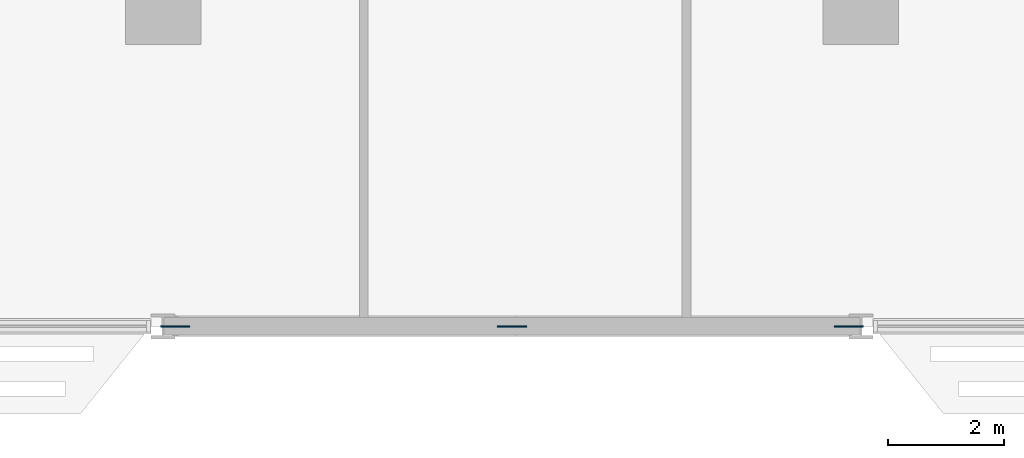
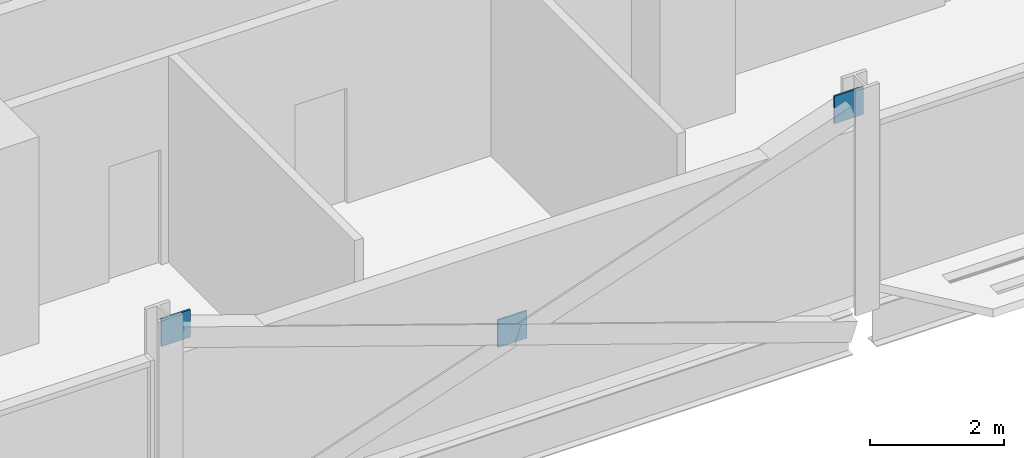
# One storey, part 21 of 29: 3 discrete accessories.
"""IFC4 building model written with IfcOpenShell, lengths in metres."""

from ifc_helpers import new_model, si_unit, direction, frame, origin, origin_2d, place, context, subcontext, project, spatial, rectangle, extrude, material, layer, layer_set, type_object, element, save


model = new_model("IFC4")

# Units and contexts
model_context = context("Model", 3, precision=1e-05, world=origin(), true_north=direction((0.0, 1.0)))
body_context = subcontext(model_context, "Body", "Model", "MODEL_VIEW")
ifc_project = project(units=[si_unit("LENGTHUNIT", "METRE"), si_unit("AREAUNIT", "SQUARE_METRE"), si_unit("VOLUMEUNIT", "CUBIC_METRE"), si_unit("PLANEANGLEUNIT", "RADIAN"), si_unit("MASSUNIT", "GRAM", prefix="KILO")], contexts=[model_context])

# Site, building, storey
site_placement = place(None, origin())
site = spatial("IfcSite", under=ifc_project, at=site_placement, CompositionType="ELEMENT")
building_placement = place(site_placement, origin())
building = spatial("IfcBuilding", under=site, at=building_placement, Name="Mahtab Terrace Research Tower", CompositionType="ELEMENT")
storey_placement = place(building_placement, frame((0.0, 0.0, 146.60009765625)))
storey = spatial("IfcBuildingStorey", under=building, at=storey_placement, Name="L34", CompositionType="ELEMENT", Elevation=146.60009765625)

# Discrete accessories
ifc_material = material(Name="Steel ASTM A992 Gr 50", Category="steel")
ifc_layer = layer(ifc_material, 0.030029296875)
ifc_layer_set = layer_set([ifc_layer], Name="Gusset plate 500x500x30")
discrete_accessory_type = type_object("IfcDiscreteAccessoryType", Name="Gusset plate 500x500x30", PredefinedType="USERDEFINED", material=ifc_layer_set)
for number, where, z_axis, x_axis, name in (
    (1, (-5.794189453125, -17.0, 3.129638671875), (0.0, 0.0, 1.0), (1.0, 0.0, 0.0), "Gusset plate"),
    (2, (0.0, -17.0, 1.08154296875), (0.0, 0.0, 1.0), (1.0, 0.0, 0.0), "Gusset plate"),
    (3, (5.794189453125, -17.0, 3.129638671875), (0.0, 0.0, 1.0), (1.0, 0.0, 0.0), "Gusset plate"),
):
    element("IfcDiscreteAccessory", number, at=place(storey_placement, frame(where, z_axis=z_axis, x_axis=x_axis)), inside=storey, type_object=discrete_accessory_type, Name=name, ObjectType="GUSSET PLATE", PredefinedType="USERDEFINED", context=body_context, shape_type="SweptSolid", body=[
        extrude(rectangle(XDim=0.5, YDim=0.030029296875, at=origin_2d()), origin(), (0.0, 0.0, 1.0), 0.5),
    ])

save(model, "model.ifc")
